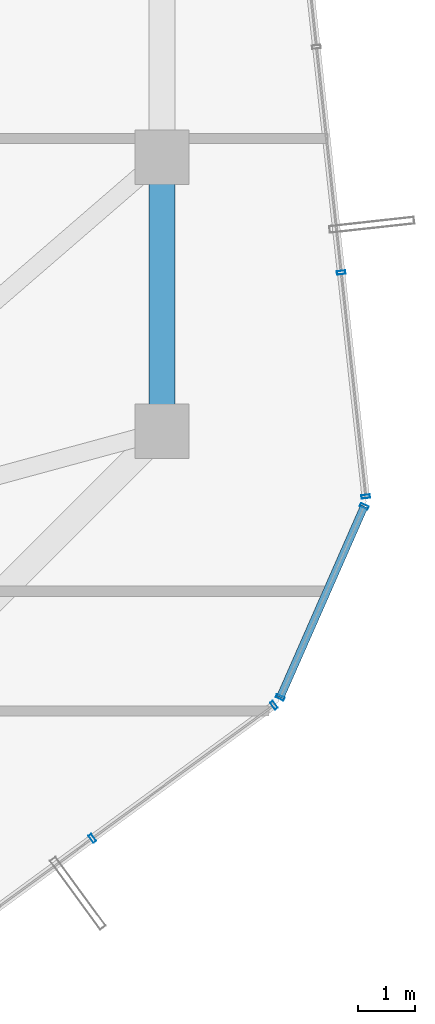
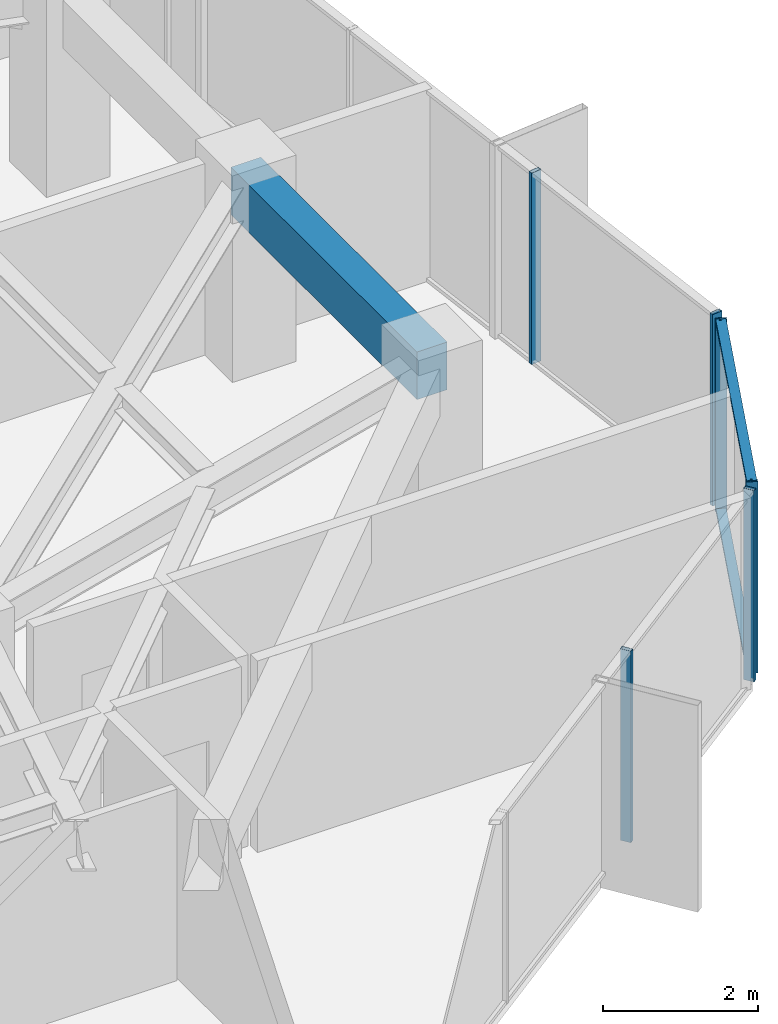
# One storey, part 17 of 32: 8 members, 1 beam, 3 elements without a shape of their own.
"""IFC4 building model written with IfcOpenShell, lengths in metres."""

from ifc_helpers import new_model, si_unit, direction, frame, origin, origin_2d, place, context, subcontext, project, spatial, rectangle, hollow_rectangle, extrude, source, transform, mapped, material, layer, layer_set, material_profile, profile_set, type_object, element, aggregate, save


model = new_model("IFC4")

# Units and contexts
model_context = context("Model", 3, precision=1e-05, world=origin(), true_north=direction((0.0, 1.0)))
body_context = subcontext(model_context, "Body", "Model", "MODEL_VIEW")
ifc_project = project(units=[si_unit("LENGTHUNIT", "METRE"), si_unit("AREAUNIT", "SQUARE_METRE"), si_unit("VOLUMEUNIT", "CUBIC_METRE"), si_unit("PLANEANGLEUNIT", "RADIAN"), si_unit("MASSUNIT", "GRAM", prefix="KILO")], contexts=[model_context])

# Site, building, storey
site_placement = place(None, origin())
site = spatial("IfcSite", under=ifc_project, at=site_placement, CompositionType="ELEMENT")
building_placement = place(site_placement, origin())
building = spatial("IfcBuilding", under=site, at=building_placement, Name="Veraguas Prism Commons", CompositionType="ELEMENT")
storey_placement = place(building_placement, frame((0.0, 0.0, 185.35009765625)))
storey = spatial("IfcBuildingStorey", under=building, at=storey_placement, Name="L52", CompositionType="ELEMENT", Elevation=185.35009765625)

# Beam
ifc_material_1 = material(Name="Concrete C50/60", Category="concrete")
ifc_material_profile_1 = material_profile(ifc_material_1, rectangle(XDim=0.449951171875, YDim=0.75, at=origin_2d()), Name="RC450X750")
ifc_profile_set_1 = profile_set([ifc_material_profile_1], Name="Concrete C50/60")
beam_type = type_object("IfcBeamType", Name="Perimeter Spandrel Upper RC 450x750", PredefinedType="SPANDREL", material=ifc_profile_set_1)
beam_placement = place(storey_placement, frame((38.89990234375, 19.199951171875, 2.639892578125), z_axis=(0.0, 1.0, 0.0), x_axis=(-1.0, 0.0, 0.0)))
element("IfcBeam", 1, at=beam_placement, inside=storey, type_object=beam_type, Name="Perimeter Spandrel Beam L52-SP01", PredefinedType="SPANDREL", context=body_context, shape_type="SweptSolid", body=[
    extrude(rectangle(XDim=0.449951171875, YDim=0.75, at=origin_2d()), origin(), (0.0, 0.0, 1.0), 4.800048828125),
])

# Curtain wall, members
ifc_material_2 = material(Name="Anodised aluminium EN AW-6063 T6", Category="aluminium")
ifc_layer = layer(ifc_material_2, 0.14990234375, Name="Unitised Flush Curtain Wall Zone 3", Category="aluminium")
ifc_layer_set = layer_set([ifc_layer], Name="Anodised aluminium EN AW-6063 T6")
curtain_wall_type = type_object("IfcCurtainWallType", Name="Unitised Flush Curtain Wall Zone 3", PredefinedType="NOTDEFINED", material=ifc_layer_set)
curtain_wall_1_placement = place(storey_placement, origin())
curtain_wall_1 = element("IfcCurtainWall", 2, at=curtain_wall_1_placement, inside=storey, type_object=curtain_wall_type, Name="Tower Facade Curtain Wall L52-F5", PredefinedType="NOTDEFINED")
ifc_material_profile_2 = material_profile(ifc_material_2, hollow_rectangle(XDim=0.06005859375, YDim=0.14990234375, WallThickness=0.0029296875, at=origin_2d()), Name="AL60X150X3")
ifc_profile_set_2 = profile_set([ifc_material_profile_2], Name="Anodised aluminium EN AW-6063 T6")
member_type_1 = type_object("IfcMemberType", Name="Curtain Wall Mullion Upper AL 60x150x3", PredefinedType="MULLION", material=ifc_profile_set_2)
shared_shape_1 = source(origin(), body_context, "Body", "SweptSolid", [
    extrude(hollow_rectangle(XDim=0.06005859375, YDim=0.14990234375, WallThickness=0.0029296875, at=origin_2d()), origin(), (0.0, 0.0, 1.0), 3.014892578125),
])
member_1_placement = place(storey_placement, frame((37.680419921875, 12.071044921875, 0.0), z_axis=(0.0, 0.0, 1.0), x_axis=(0.806341388983, 0.591450390493, 0.0)))
member_1 = element("IfcMember", 3, at=member_1_placement, type_object=member_type_1, Name="CW-Z3 Mullion 4", PredefinedType="MULLION", context=body_context, shape_type="MappedRepresentation", body=[
    mapped(shared_shape_1, transform((0.0, 0.0, 0.0), scale=1.0)),
])
member_2_placement = place(storey_placement, frame((40.86181640625, 14.404541015625, 0.0), z_axis=(0.0, 0.0, 1.0), x_axis=(0.806341388983, 0.591450390493, 0.0)))
member_2 = element("IfcMember", 4, at=member_2_placement, type_object=member_type_1, Name="CW-Z3 Mullion 5", PredefinedType="MULLION", context=body_context, shape_type="MappedRepresentation", body=[
    mapped(shared_shape_1, transform((0.0, 0.0, 0.0), scale=1.0)),
])
aggregate(curtain_wall_1, [member_1, member_2])

curtain_wall_2_placement = place(storey_placement, origin())
curtain_wall_2 = element("IfcCurtainWall", 5, at=curtain_wall_2_placement, inside=storey, type_object=curtain_wall_type, Name="Tower Facade Curtain Wall L52-F6", PredefinedType="NOTDEFINED")
member_3_placement = place(storey_placement, frame((42.468505859375, 18.05712890625, 0.0), z_axis=(0.0, 0.0, 1.0), x_axis=(-0.109045573519, 0.99403675128, 0.0)))
member_3 = element("IfcMember", 6, at=member_3_placement, type_object=member_type_1, Name="CW-Z3 Mullion 1", PredefinedType="MULLION", context=body_context, shape_type="MappedRepresentation", body=[
    mapped(shared_shape_1, transform((0.0, 0.0, 0.0), scale=1.0)),
])
member_4_placement = place(storey_placement, frame((42.0380859375, 21.979248046875, 0.0), z_axis=(0.0, 0.0, 1.0), x_axis=(-0.109045573519, 0.99403675128, 0.0)))
member_4 = element("IfcMember", 7, at=member_4_placement, type_object=member_type_1, Name="CW-Z3 Mullion 2", PredefinedType="MULLION", context=body_context, shape_type="MappedRepresentation", body=[
    mapped(shared_shape_1, transform((0.0, 0.0, 0.0), scale=1.0)),
])
aggregate(curtain_wall_2, [member_3, member_4])

curtain_wall_3_placement = place(storey_placement, origin())
curtain_wall_3 = element("IfcCurtainWall", 8, at=curtain_wall_3_placement, inside=storey, type_object=curtain_wall_type, Name="Chamfer Curtain Wall L52-C6", PredefinedType="NOTDEFINED")
member_5_placement = place(storey_placement, frame((40.970703125, 14.540283203125, 0.0), z_axis=(0.0, 0.0, 1.0), x_axis=(0.402570955249, 0.915388784064, 0.0)))
member_5 = element("IfcMember", 9, at=member_5_placement, type_object=member_type_1, Name="CW-Z3 Mullion 1", PredefinedType="MULLION", context=body_context, shape_type="MappedRepresentation", body=[
    mapped(shared_shape_1, transform((0.0, 0.0, 0.0), scale=1.0)),
])
member_6_placement = place(storey_placement, frame((42.44189453125, 17.88525390625, 0.0), z_axis=(0.0, 0.0, 1.0), x_axis=(0.402570955249, 0.915388784064, 0.0)))
member_6 = element("IfcMember", 10, at=member_6_placement, type_object=member_type_1, Name="CW-Z3 Mullion 2", PredefinedType="MULLION", context=body_context, shape_type="MappedRepresentation", body=[
    mapped(shared_shape_1, transform((0.0, 0.0, 0.0), scale=1.0)),
])
ifc_material_profile_3 = material_profile(ifc_material_2, hollow_rectangle(XDim=0.054931640625, YDim=0.135009765625, WallThickness=0.0029296875, at=origin_2d()), Name="AL55X135X3")
ifc_profile_set_3 = profile_set([ifc_material_profile_3], Name="Anodised aluminium EN AW-6063 T6")
member_type_2 = type_object("IfcMemberType", Name="Curtain Wall Transom Standard AL 55x135x3", PredefinedType="USERDEFINED", material=ifc_profile_set_3)
shared_shape_2 = source(origin(), body_context, "Body", "SweptSolid", [
    extrude(hollow_rectangle(XDim=0.054931640625, YDim=0.135009765625, WallThickness=0.0029296875, at=origin_2d()), origin(), (0.0, 0.0, 1.0), 3.654296875),
])
member_7_placement = place(storey_placement, frame((40.970703125, 14.540283203125, 0.02734375), z_axis=(0.402602032694, 0.915375116152, 0.0), x_axis=(0.0, 0.0, 1.0)))
member_7 = element("IfcMember", 11, at=member_7_placement, type_object=member_type_2, Name="CW-Z3 Transom 1", ObjectType="TRANSOM", PredefinedType="USERDEFINED", context=body_context, shape_type="MappedRepresentation", body=[
    mapped(shared_shape_2, transform((0.0, 0.0, 0.0), scale=1.0)),
])
member_8_placement = place(storey_placement, frame((40.970703125, 14.540283203125, 2.9873046875), z_axis=(0.402602032694, 0.915375116152, 0.0), x_axis=(0.0, 0.0, 1.0)))
member_8 = element("IfcMember", 12, at=member_8_placement, type_object=member_type_2, Name="CW-Z3 Transom 2", ObjectType="TRANSOM", PredefinedType="USERDEFINED", context=body_context, shape_type="MappedRepresentation", body=[
    mapped(shared_shape_2, transform((0.0, 0.0, 0.0), scale=1.0)),
])
aggregate(curtain_wall_3, [member_5, member_6, member_7, member_8])

save(model, "model.ifc")
